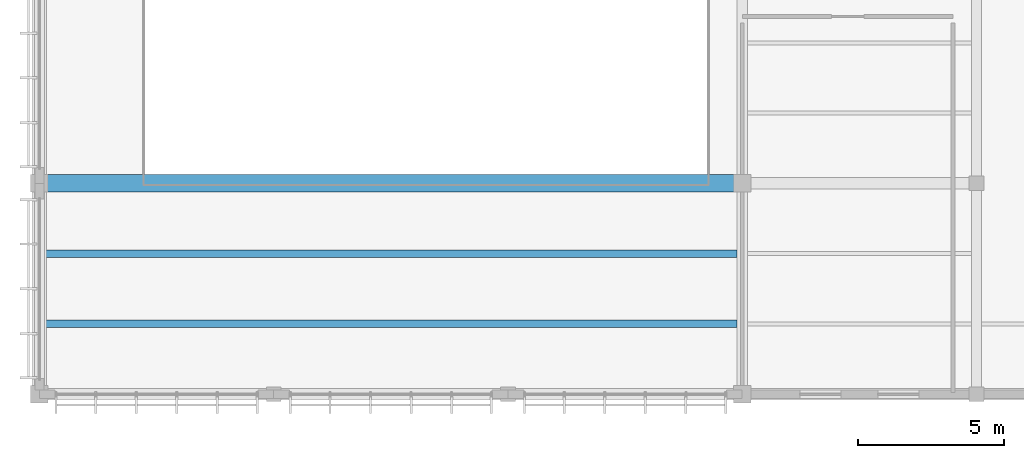
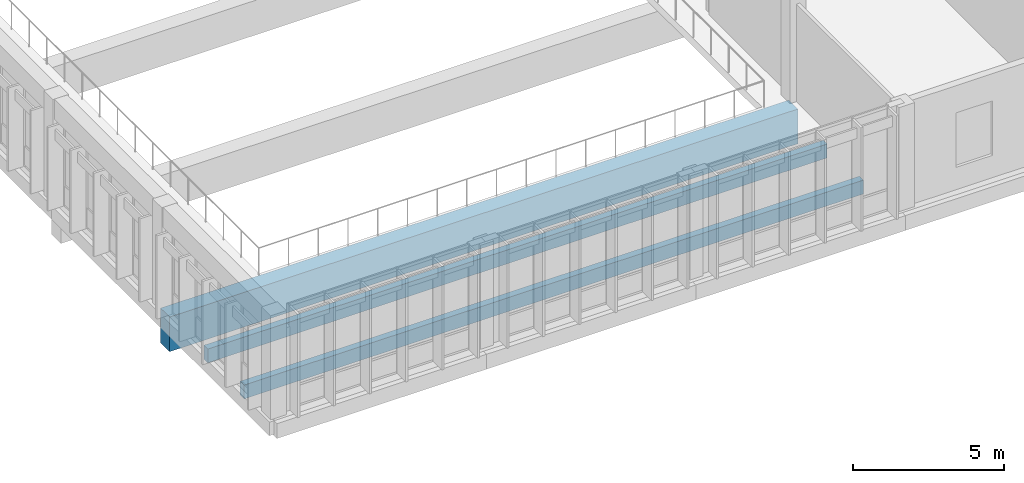
# One storey, part 14 of 182: 3 beams.
"""IFC4 building model written with IfcOpenShell, lengths in metres."""

from ifc_helpers import new_model, si_unit, direction, frame, origin, origin_2d, place, context, subcontext, project, spatial, rectangle, extrude, material, material_profile, profile_set, type_object, element, save


model = new_model("IFC4")

# Units and contexts
model_context = context("Model", 3, precision=1e-05, world=origin(), true_north=direction((0.0, 1.0)))
body_context = subcontext(model_context, "Body", "Model", "MODEL_VIEW")
ifc_project = project(units=[si_unit("LENGTHUNIT", "METRE"), si_unit("AREAUNIT", "SQUARE_METRE"), si_unit("VOLUMEUNIT", "CUBIC_METRE"), si_unit("PLANEANGLEUNIT", "RADIAN"), si_unit("MASSUNIT", "GRAM", prefix="KILO")], contexts=[model_context])

# Site, building, storey
site_placement = place(None, origin())
site = spatial("IfcSite", under=ifc_project, at=site_placement, CompositionType="ELEMENT")
building_placement = place(site_placement, origin())
building = spatial("IfcBuilding", under=site, at=building_placement, Name="Chiffa Square Polytechnic", CompositionType="ELEMENT")
storey_placement = place(building_placement, frame((0.0, 0.0, 9.60009765625)))
storey = spatial("IfcBuildingStorey", under=building, at=storey_placement, Name="L02", CompositionType="ELEMENT", Elevation=9.60009765625)

# Beams
ifc_material_1 = material(Name="Concrete C40/50", Category="concrete")
ifc_material_profile_1 = material_profile(ifc_material_1, rectangle(XDim=0.60009765625, YDim=1.39990234375, at=origin_2d()), Name="RC 600x1400")
ifc_profile_set_1 = profile_set([ifc_material_profile_1], Name="Concrete C40/50")
beam_type_1 = type_object("IfcBeamType", Name="BM-RC-600X1400", PredefinedType="BEAM", material=ifc_profile_set_1)
beam_placement = place(storey_placement, frame((0.0, 7.199951171875, -1.02001953125), z_axis=(1.0, 0.0, 0.0), x_axis=(0.0, 1.0, 0.0)))
element("IfcBeam", 1, at=beam_placement, inside=storey, type_object=beam_type_1, Name="Primary floor girder BM-V3-L02-X-0000-0072", PredefinedType="BEAM", context=body_context, shape_type="SweptSolid", body=[
    extrude(rectangle(XDim=0.60009765625, YDim=1.39990234375, at=origin_2d()), origin(), (0.0, 0.0, 1.0), 24.0),
])
ifc_material_2 = material(Name="Glulam GL28h", Category="wood")
ifc_material_profile_2 = material_profile(ifc_material_2, rectangle(XDim=0.260009765625, YDim=0.56005859375, at=origin_2d()), Name="GL28h 260x560")
ifc_profile_set_2 = profile_set([ifc_material_profile_2], Name="Glulam GL28h")
beam_type_2 = type_object("IfcBeamType", Name="JST-GL-260X560", PredefinedType="JOIST", material=ifc_profile_set_2)
for number, where, z_axis, x_axis, name in (
    (2, (0.173095703125, 2.39990234375, -0.60009765625), (1.0, 0.0, 0.0), (0.0, 1.0, 0.0), "Secondary floor joist JST-V3-L02-0000-0024"),
    (3, (0.173095703125, 4.800048828125, -0.60009765625), (1.0, 0.0, 0.0), (0.0, 1.0, 0.0), "Secondary floor joist JST-V3-L02-0000-0048"),
):
    element("IfcBeam", number, at=place(storey_placement, frame(where, z_axis=z_axis, x_axis=x_axis)), inside=storey, type_object=beam_type_2, Name=name, PredefinedType="JOIST", context=body_context, shape_type="SweptSolid", body=[
        extrude(rectangle(XDim=0.260009765625, YDim=0.56005859375, at=origin_2d()), origin(), (0.0, 0.0, 1.0), 23.65380859375),
    ])

save(model, "model.ifc")
